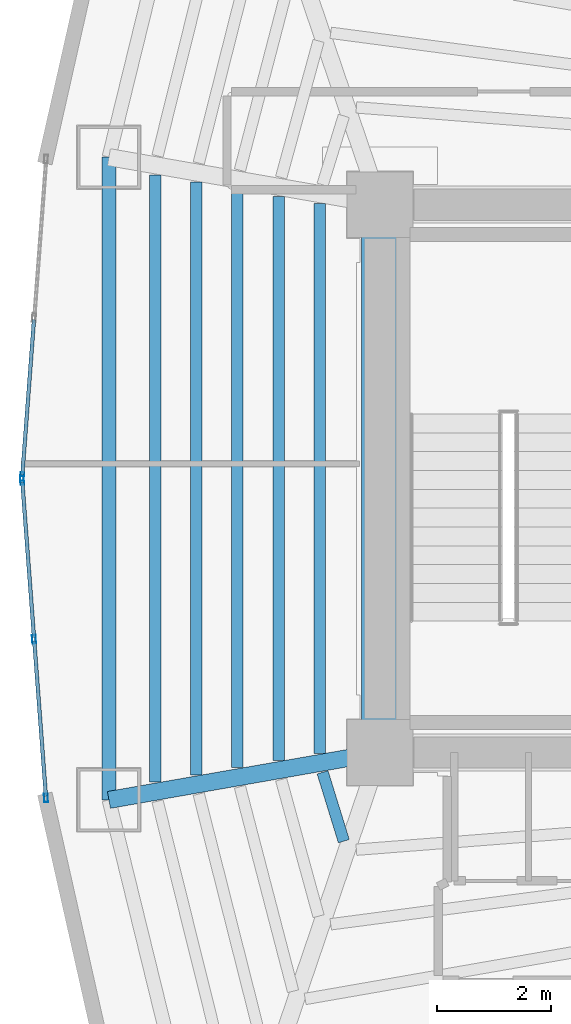
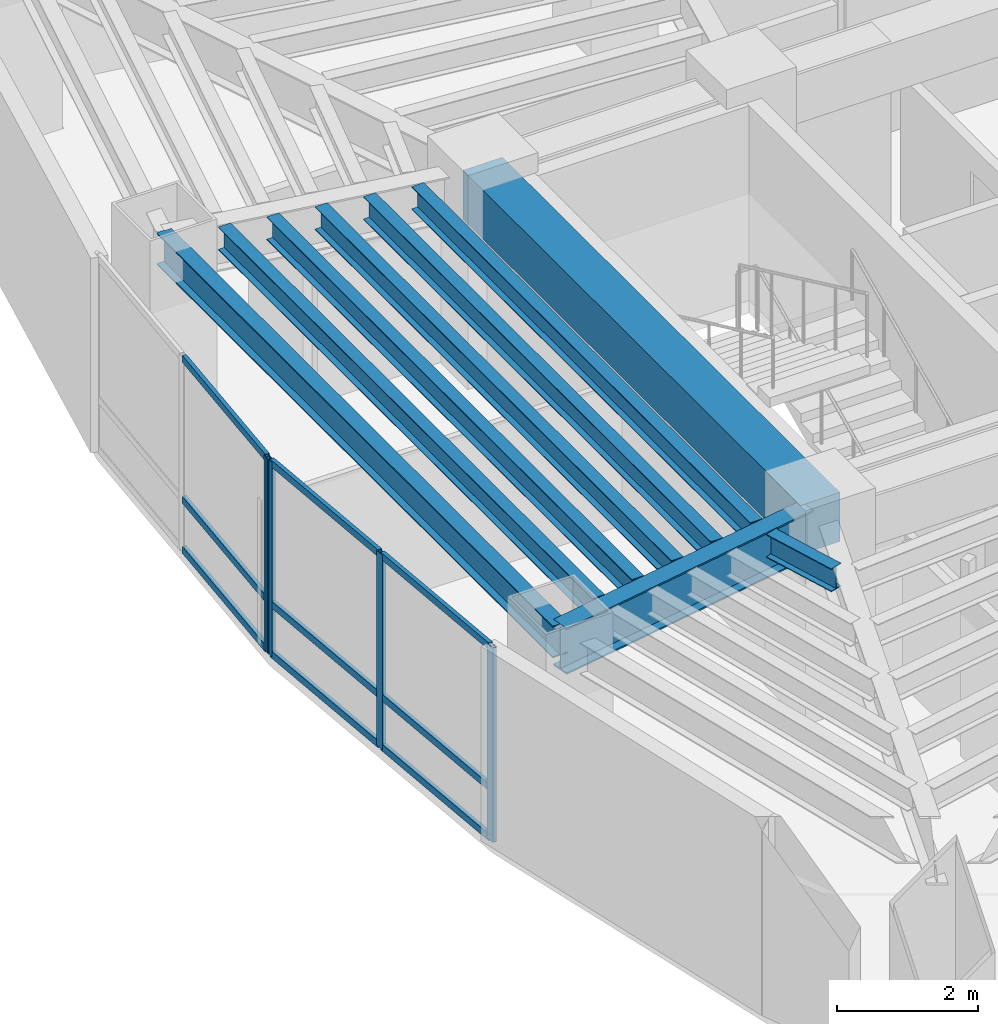
# One storey, part 3 of 15: 13 members, 9 beams, 2 elements without a shape of their own.
"""IFC4 building model written with IfcOpenShell, lengths in metres."""

from ifc_helpers import new_model, si_unit, direction, frame, origin, origin_2d, place, context, subcontext, project, spatial, rectangle, hollow_rectangle, i_section, extrude, material, layer, layer_set, material_profile, profile_set, type_object, element, aggregate, save


model = new_model("IFC4")

# Units and contexts
model_context = context("Model", 3, precision=1e-05, world=origin(), true_north=direction((0.0, 1.0)))
body_context = subcontext(model_context, "Body", "Model", "MODEL_VIEW")
ifc_project = project(units=[si_unit("LENGTHUNIT", "METRE"), si_unit("AREAUNIT", "SQUARE_METRE"), si_unit("VOLUMEUNIT", "CUBIC_METRE"), si_unit("PLANEANGLEUNIT", "RADIAN"), si_unit("MASSUNIT", "GRAM", prefix="KILO")], contexts=[model_context])

# Site, building, storey
site_placement = place(None, origin())
site = spatial("IfcSite", under=ifc_project, at=site_placement, CompositionType="ELEMENT")
building_placement = place(site_placement, origin())
building = spatial("IfcBuilding", under=site, at=building_placement, Name="Menara Vayukalpa", CompositionType="ELEMENT")
storey_placement = place(building_placement, frame((0.0, 0.0, 144.89990234375)))
storey = spatial("IfcBuildingStorey", under=building, at=storey_placement, Name="L36", CompositionType="ELEMENT", Elevation=144.89990234375)

# Beams
ifc_material_1 = material(Name="Concrete C60/75", Category="concrete")
ifc_material_profile_1 = material_profile(ifc_material_1, rectangle(XDim=0.64990234375, YDim=0.85009765625, at=origin_2d()), Name="RC 650x850")
ifc_profile_set_1 = profile_set([ifc_material_profile_1], Name="Concrete C60/75")
beam_type_1 = type_object("IfcBeamType", Name="BM-CB1", PredefinedType="BEAM", material=ifc_profile_set_1)
beam_1_placement = place(storey_placement, frame((17.800048828125, 17.199951171875, 2.955078125), z_axis=(0.0, 1.0, 0.0), x_axis=(-1.0, 0.0, 0.0)))
element("IfcBeam", 1, at=beam_1_placement, inside=storey, type_object=beam_type_1, Name="L36 Core Tie Beam CBR7", PredefinedType="BEAM", context=body_context, shape_type="SweptSolid", body=[
    extrude(rectangle(XDim=0.64990234375, YDim=0.85009765625, at=origin_2d()), origin(), (0.0, 0.0, 1.0), 9.60009765625),
])
ifc_material_2 = material(Name="Steel S355", Category="steel")
ifc_material_profile_2 = material_profile(ifc_material_2, i_section(OverallWidth=0.300048828125, OverallDepth=0.800048828125, WebThickness=0.013916015625, FlangeThickness=0.02587890625, at=origin_2d()), Name="WF 800x300x14x26")
ifc_profile_set_2 = profile_set([ifc_material_profile_2], Name="Steel S355")
beam_type_2 = type_object("IfcBeamType", Name="BM-PG3", PredefinedType="BEAM", material=ifc_profile_set_2)
beam_2_placement = place(storey_placement, frame((17.5537109375, 17.156982421875, 2.97998046875), z_axis=(-0.985011651805, -0.172487813505, 0.0), x_axis=(0.172487813505, -0.985011651805, 0.0)))
element("IfcBeam", 2, at=beam_2_placement, inside=storey, type_object=beam_type_2, Name="L36 Primary Radial Girder RG06", PredefinedType="BEAM", context=body_context, shape_type="SweptSolid", body=[
    extrude(i_section(OverallWidth=0.300048828125, OverallDepth=0.800048828125, WebThickness=0.013916015625, FlangeThickness=0.02587890625, at=origin_2d()), origin(), (0.0, 0.0, 1.0), 4.5732421875),
])
ifc_material_3 = material(Name="Steel S355", Category="steel")
ifc_material_profile_3 = material_profile(ifc_material_3, i_section(OverallWidth=0.199951171875, OverallDepth=0.39990234375, WebThickness=0.008056640625, FlangeThickness=0.012939453125, at=origin_2d()), Name="WF 400x200x8x13")
ifc_profile_set_3 = profile_set([ifc_material_profile_3], Name="Steel S355")
beam_type_3 = type_object("IfcBeamType", Name="BM-SJ2", PredefinedType="JOIST", material=ifc_profile_set_3)
beam_3_placement = place(storey_placement, frame((16.742919921875, 26.815185546875, 3.18017578125), z_axis=(0.0, -1.0, 0.0), x_axis=(1.0, 0.0, 0.0)))
element("IfcBeam", 3, at=beam_3_placement, inside=storey, type_object=beam_type_3, Name="L36 Secondary Floor Joist SJ05-1", PredefinedType="JOIST", context=body_context, shape_type="SweptSolid", body=[
    extrude(i_section(OverallWidth=0.199951171875, OverallDepth=0.39990234375, WebThickness=0.008056640625, FlangeThickness=0.012939453125, at=origin_2d()), origin(), (0.0, 0.0, 1.0), 9.63037109375),
])
beam_4_placement = place(storey_placement, frame((16.022216796875, 26.94140625, 3.18017578125), z_axis=(0.0, -1.0, 0.0), x_axis=(1.0, 0.0, 0.0)))
element("IfcBeam", 4, at=beam_4_placement, inside=storey, type_object=beam_type_3, Name="L36 Secondary Floor Joist SJ05-2", PredefinedType="JOIST", context=body_context, shape_type="SweptSolid", body=[
    extrude(i_section(OverallWidth=0.199951171875, OverallDepth=0.39990234375, WebThickness=0.008056640625, FlangeThickness=0.012939453125, at=origin_2d()), origin(), (0.0, 0.0, 1.0), 9.8828125),
])
beam_5_placement = place(storey_placement, frame((15.301513671875, 27.0673828125, 3.18017578125), z_axis=(0.0, -1.0, 0.0), x_axis=(1.0, 0.0, 0.0)))
element("IfcBeam", 5, at=beam_5_placement, inside=storey, type_object=beam_type_3, Name="L36 Secondary Floor Joist SJ05-3", PredefinedType="JOIST", context=body_context, shape_type="SweptSolid", body=[
    extrude(i_section(OverallWidth=0.199951171875, OverallDepth=0.39990234375, WebThickness=0.008056640625, FlangeThickness=0.012939453125, at=origin_2d()), origin(), (0.0, 0.0, 1.0), 10.134765625),
])
beam_6_placement = place(storey_placement, frame((14.580810546875, 27.193603515625, 3.18017578125), z_axis=(0.0, -1.0, 0.0), x_axis=(1.0, 0.0, 0.0)))
element("IfcBeam", 6, at=beam_6_placement, inside=storey, type_object=beam_type_3, Name="L36 Secondary Floor Joist SJ05-4", PredefinedType="JOIST", context=body_context, shape_type="SweptSolid", body=[
    extrude(i_section(OverallWidth=0.199951171875, OverallDepth=0.39990234375, WebThickness=0.008056640625, FlangeThickness=0.012939453125, at=origin_2d()), origin(), (0.0, 0.0, 1.0), 10.38720703125),
])
beam_7_placement = place(storey_placement, frame((13.85986328125, 27.31982421875, 3.18017578125), z_axis=(0.0, -1.0, 0.0), x_axis=(1.0, 0.0, 0.0)))
element("IfcBeam", 7, at=beam_7_placement, inside=storey, type_object=beam_type_3, Name="L36 Secondary Floor Joist SJ05-5", PredefinedType="JOIST", context=body_context, shape_type="SweptSolid", body=[
    extrude(i_section(OverallWidth=0.199951171875, OverallDepth=0.39990234375, WebThickness=0.008056640625, FlangeThickness=0.012939453125, at=origin_2d()), origin(), (0.0, 0.0, 1.0), 10.6396484375),
])
beam_8_placement = place(storey_placement, frame((16.79296875, 16.8525390625, 3.18017578125), z_axis=(0.294927758635, -0.955519553534, 0.0), x_axis=(0.955519553534, 0.294927758635, 0.0)))
element("IfcBeam", 8, at=beam_8_placement, inside=storey, type_object=beam_type_3, Name="L36 Secondary Floor Joist SJ06-1", PredefinedType="JOIST", context=body_context, shape_type="SweptSolid", body=[
    extrude(i_section(OverallWidth=0.199951171875, OverallDepth=0.39990234375, WebThickness=0.008056640625, FlangeThickness=0.012939453125, at=origin_2d()), origin(), (0.0, 0.0, 1.0), 1.26318359375),
])
ifc_material_4 = material(Name="Steel S355", Category="steel")
ifc_material_profile_4 = material_profile(ifc_material_4, i_section(OverallWidth=0.239990234375, OverallDepth=0.550048828125, WebThickness=0.010986328125, FlangeThickness=0.01904296875, at=origin_2d()), Name="WF 550x240x11x19")
ifc_profile_set_4 = profile_set([ifc_material_profile_4], Name="Steel S355")
beam_type_4 = type_object("IfcBeamType", Name="BM-SP2", PredefinedType="SPANDREL", material=ifc_profile_set_4)
beam_9_placement = place(storey_placement, frame((13.049072265625, 27.6318359375, 3.10498046875), z_axis=(0.0, -1.0, 0.0), x_axis=(1.0, 0.0, 0.0)))
element("IfcBeam", 9, at=beam_9_placement, inside=storey, type_object=beam_type_4, Name="L36 Perimeter Spandrel Beam SP05", PredefinedType="SPANDREL", context=body_context, shape_type="SweptSolid", body=[
    extrude(i_section(OverallWidth=0.239990234375, OverallDepth=0.550048828125, WebThickness=0.010986328125, FlangeThickness=0.01904296875, at=origin_2d()), origin(), (0.0, 0.0, 1.0), 11.263671875),
])

# Curtain wall, member
ifc_material_5 = material(Name="Anodised Terracotta Aluminium Alloy 6063-T6", Category="masonry")
ifc_layer = layer(ifc_material_5, 0.14990234375)
ifc_layer_set = layer_set([ifc_layer], Name="Anodised Terracotta Aluminium Alloy 6063-T6")
curtain_wall_type = type_object("IfcCurtainWallType", Name="CW-CW3", PredefinedType="USERDEFINED", material=ifc_layer_set)
curtain_wall_1_placement = place(storey_placement, origin())
curtain_wall_1 = element("IfcCurtainWall", 10, at=curtain_wall_1_placement, inside=storey, type_object=curtain_wall_type, Name="L36 Mid Rise Terracotta Ribbon Curtain Wall CW3 10", ObjectType="UNITISED", PredefinedType="USERDEFINED")
ifc_material_6 = material(Name="Anodised Terracotta Aluminium Alloy 6063-T6", Category="masonry")
ifc_material_profile_5 = material_profile(ifc_material_6, hollow_rectangle(XDim=0.06494140625, YDim=0.14990234375, WallThickness=0.00341796875, at=origin_2d()), Name="ALU 65x150x3.5")
ifc_profile_set_5 = profile_set([ifc_material_profile_5], Name="Anodised Terracotta Aluminium Alloy 6063-T6")
member_type_1 = type_object("IfcMemberType", Name="CWM-CW3", PredefinedType="MULLION", material=ifc_profile_set_5)
member_1_placement = place(storey_placement, frame((11.529052734375, 22.032470703125, 0.0), z_axis=(0.0, 0.0, 1.0), x_axis=(0.997199111801, -0.074792589364, 0.0)))
member_1 = element("IfcMember", 11, at=member_1_placement, type_object=member_type_1, Name="CW3 mullion 3", PredefinedType="MULLION", context=body_context, shape_type="SweptSolid", body=[
    extrude(hollow_rectangle(XDim=0.06494140625, YDim=0.14990234375, WallThickness=0.00341796875, at=origin_2d()), origin(), (0.0, 0.0, 1.0), 3.380126953125),
])

# Curtain wall, members
curtain_wall_2_placement = place(storey_placement, origin())
curtain_wall_2 = element("IfcCurtainWall", 12, at=curtain_wall_2_placement, inside=storey, type_object=curtain_wall_type, Name="L36 Mid Rise Terracotta Ribbon Curtain Wall CW3 11", ObjectType="UNITISED", PredefinedType="USERDEFINED")
member_2_placement = place(storey_placement, frame((11.529052734375, 21.967529296875, 0.0), z_axis=(0.0, 0.0, 1.0), x_axis=(0.997199111801, 0.074792589364, 0.0)))
member_2 = element("IfcMember", 13, at=member_2_placement, type_object=member_type_1, Name="CW3 mullion 1", PredefinedType="MULLION", context=body_context, shape_type="SweptSolid", body=[
    extrude(hollow_rectangle(XDim=0.06494140625, YDim=0.14990234375, WallThickness=0.00341796875, at=origin_2d()), origin(), (0.0, 0.0, 1.0), 3.380126953125),
])
member_3_placement = place(storey_placement, frame((11.73779296875, 19.18408203125, 0.0), z_axis=(0.0, 0.0, 1.0), x_axis=(0.997199111801, 0.074792589364, 0.0)))
member_3 = element("IfcMember", 14, at=member_3_placement, type_object=member_type_1, Name="CW3 mullion 2", PredefinedType="MULLION", context=body_context, shape_type="SweptSolid", body=[
    extrude(hollow_rectangle(XDim=0.06494140625, YDim=0.14990234375, WallThickness=0.00341796875, at=origin_2d()), origin(), (0.0, 0.0, 1.0), 3.380126953125),
])
member_4_placement = place(storey_placement, frame((11.94677734375, 16.400634765625, 0.0), z_axis=(0.0, 0.0, 1.0), x_axis=(0.997199111801, 0.074792589364, 0.0)))
member_4 = element("IfcMember", 15, at=member_4_placement, type_object=member_type_1, Name="CW3 mullion 3", PredefinedType="MULLION", context=body_context, shape_type="SweptSolid", body=[
    extrude(hollow_rectangle(XDim=0.06494140625, YDim=0.14990234375, WallThickness=0.00341796875, at=origin_2d()), origin(), (0.0, 0.0, 1.0), 3.380126953125),
])

# Member
ifc_material_7 = material(Name="Anodised Terracotta Aluminium Alloy 6063-T6", Category="masonry")
ifc_material_profile_6 = material_profile(ifc_material_7, hollow_rectangle(XDim=0.06494140625, YDim=0.1201171875, WallThickness=0.00341796875, at=origin_2d()), Name="ALU 65x120x3.5")
ifc_profile_set_6 = profile_set([ifc_material_profile_6], Name="Anodised Terracotta Aluminium Alloy 6063-T6")
member_type_2 = type_object("IfcMemberType", Name="CWT-CW3", PredefinedType="USERDEFINED", material=ifc_profile_set_6)
member_5_placement = place(storey_placement, frame((11.7353515625, 24.783447265625, 0.03271484375), z_axis=(-0.074772138913, -0.997200645428, 0.0), x_axis=(0.997200645428, -0.074772138913, 0.0)))
member_5 = element("IfcMember", 16, at=member_5_placement, type_object=member_type_2, Name="CW3 transom 2.1", ObjectType="TRANSOM", PredefinedType="USERDEFINED", context=body_context, shape_type="SweptSolid", body=[
    extrude(hollow_rectangle(XDim=0.06494140625, YDim=0.1201171875, WallThickness=0.00341796875, at=origin_2d()), origin(), (0.0, 0.0, 1.0), 2.726318359375),
])

member_6_placement = place(storey_placement, frame((11.7353515625, 24.783447265625, 0.900146484375), z_axis=(-0.074772138913, -0.997200645428, 0.0), x_axis=(0.997200645428, -0.074772138913, 0.0)))
member_6 = element("IfcMember", 17, at=member_6_placement, type_object=member_type_2, Name="CW3 transom 2.2", ObjectType="TRANSOM", PredefinedType="USERDEFINED", context=body_context, shape_type="SweptSolid", body=[
    extrude(hollow_rectangle(XDim=0.06494140625, YDim=0.1201171875, WallThickness=0.00341796875, at=origin_2d()), origin(), (0.0, 0.0, 1.0), 2.726318359375),
])

member_7_placement = place(storey_placement, frame((11.7353515625, 24.783447265625, 3.34765625), z_axis=(-0.074772138913, -0.997200645428, 0.0), x_axis=(0.997200645428, -0.074772138913, 0.0)))
member_7 = element("IfcMember", 18, at=member_7_placement, type_object=member_type_2, Name="CW3 transom 2.3", ObjectType="TRANSOM", PredefinedType="USERDEFINED", context=body_context, shape_type="SweptSolid", body=[
    extrude(hollow_rectangle(XDim=0.06494140625, YDim=0.1201171875, WallThickness=0.00341796875, at=origin_2d()), origin(), (0.0, 0.0, 1.0), 2.726318359375),
])

aggregate(curtain_wall_1, [member_1, member_5, member_6, member_7])

member_8_placement = place(storey_placement, frame((11.531494140625, 21.935302734375, 0.03271484375), z_axis=(0.074772138913, -0.997200645428, 0.0), x_axis=(0.997200645428, 0.074772138913, 0.0)))
member_8 = element("IfcMember", 19, at=member_8_placement, type_object=member_type_2, Name="CW3 transom 1.1", ObjectType="TRANSOM", PredefinedType="USERDEFINED", context=body_context, shape_type="SweptSolid", body=[
    extrude(hollow_rectangle(XDim=0.06494140625, YDim=0.1201171875, WallThickness=0.00341796875, at=origin_2d()), origin(), (0.0, 0.0, 1.0), 2.726318359375),
])

member_9_placement = place(storey_placement, frame((11.531494140625, 21.935302734375, 0.900146484375), z_axis=(0.074772138913, -0.997200645428, 0.0), x_axis=(0.997200645428, 0.074772138913, 0.0)))
member_9 = element("IfcMember", 20, at=member_9_placement, type_object=member_type_2, Name="CW3 transom 1.2", ObjectType="TRANSOM", PredefinedType="USERDEFINED", context=body_context, shape_type="SweptSolid", body=[
    extrude(hollow_rectangle(XDim=0.06494140625, YDim=0.1201171875, WallThickness=0.00341796875, at=origin_2d()), origin(), (0.0, 0.0, 1.0), 2.726318359375),
])

member_10_placement = place(storey_placement, frame((11.531494140625, 21.935302734375, 3.34765625), z_axis=(0.074772138913, -0.997200645428, 0.0), x_axis=(0.997200645428, 0.074772138913, 0.0)))
member_10 = element("IfcMember", 21, at=member_10_placement, type_object=member_type_2, Name="CW3 transom 1.3", ObjectType="TRANSOM", PredefinedType="USERDEFINED", context=body_context, shape_type="SweptSolid", body=[
    extrude(hollow_rectangle(XDim=0.06494140625, YDim=0.1201171875, WallThickness=0.00341796875, at=origin_2d()), origin(), (0.0, 0.0, 1.0), 2.726318359375),
])

member_11_placement = place(storey_placement, frame((11.740234375, 19.151611328125, 0.03271484375), z_axis=(0.074867870211, -0.997193462679, 0.0), x_axis=(0.997193462679, 0.074867870211, 0.0)))
member_11 = element("IfcMember", 22, at=member_11_placement, type_object=member_type_2, Name="CW3 transom 2.1", ObjectType="TRANSOM", PredefinedType="USERDEFINED", context=body_context, shape_type="SweptSolid", body=[
    extrude(hollow_rectangle(XDim=0.06494140625, YDim=0.1201171875, WallThickness=0.00341796875, at=origin_2d()), origin(), (0.0, 0.0, 1.0), 2.72607421875),
])

member_12_placement = place(storey_placement, frame((11.740234375, 19.151611328125, 0.900146484375), z_axis=(0.074867870211, -0.997193462679, 0.0), x_axis=(0.997193462679, 0.074867870211, 0.0)))
member_12 = element("IfcMember", 23, at=member_12_placement, type_object=member_type_2, Name="CW3 transom 2.2", ObjectType="TRANSOM", PredefinedType="USERDEFINED", context=body_context, shape_type="SweptSolid", body=[
    extrude(hollow_rectangle(XDim=0.06494140625, YDim=0.1201171875, WallThickness=0.00341796875, at=origin_2d()), origin(), (0.0, 0.0, 1.0), 2.72607421875),
])

member_13_placement = place(storey_placement, frame((11.740234375, 19.151611328125, 3.34765625), z_axis=(0.074867870211, -0.997193462679, 0.0), x_axis=(0.997193462679, 0.074867870211, 0.0)))
member_13 = element("IfcMember", 24, at=member_13_placement, type_object=member_type_2, Name="CW3 transom 2.3", ObjectType="TRANSOM", PredefinedType="USERDEFINED", context=body_context, shape_type="SweptSolid", body=[
    extrude(hollow_rectangle(XDim=0.06494140625, YDim=0.1201171875, WallThickness=0.00341796875, at=origin_2d()), origin(), (0.0, 0.0, 1.0), 2.72607421875),
])

aggregate(curtain_wall_2, [member_2, member_3, member_4, member_8, member_9, member_10, member_11, member_12, member_13])

save(model, "model.ifc")
